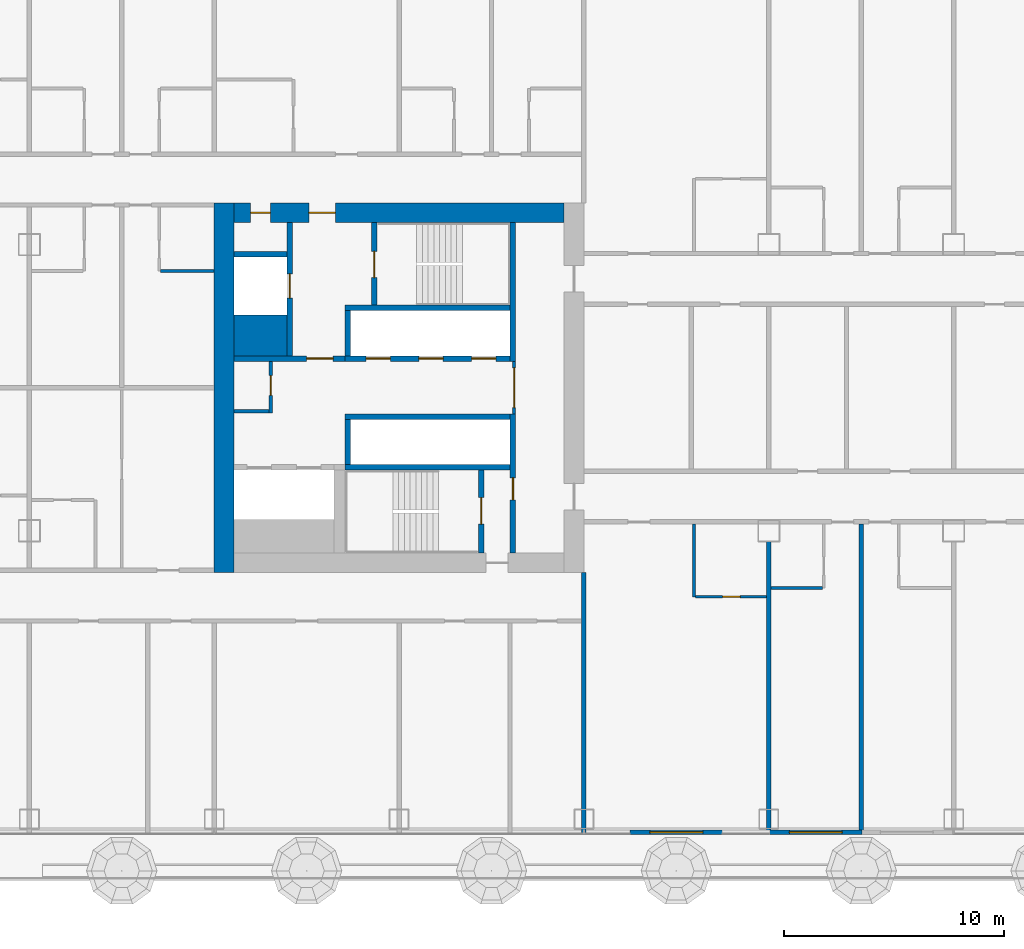
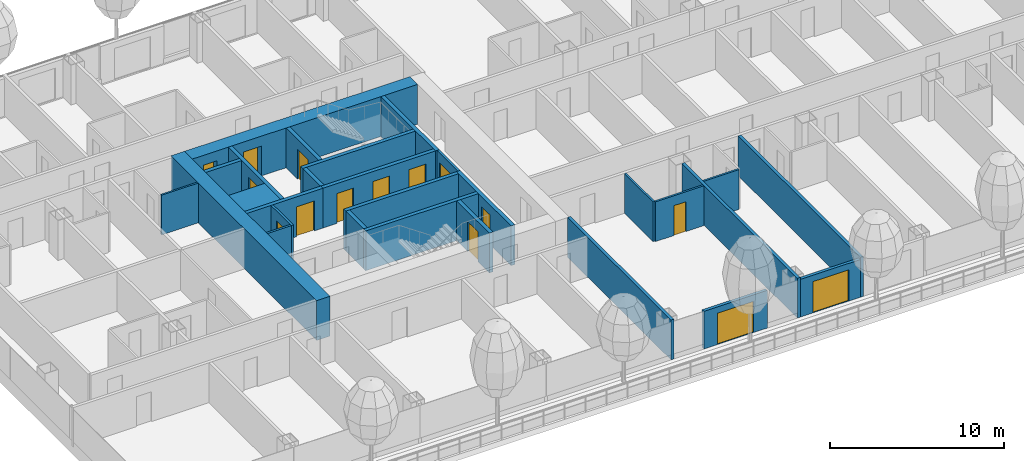
# One storey, part 13 of 36: 28 walls, 15 doors, 15 openings, 1 element without a shape of its own.
"""IFC4 building model written with IfcOpenShell, lengths in metres."""

from ifc_helpers import new_model, si_unit, direction, frame, frame_2d, origin, place, context, subcontext, project, spatial, rectangle, extrude, material, layer, layer_set, type_object, element, fill, aggregate, save


model = new_model("IFC4")

# Units and contexts
model_context = context("Model", 3, precision=1e-05, world=origin(), true_north=direction((0.0, 1.0)))
body_context = subcontext(model_context, "Body", "Model", "MODEL_VIEW")
ifc_project = project(units=[si_unit("LENGTHUNIT", "METRE"), si_unit("AREAUNIT", "SQUARE_METRE"), si_unit("VOLUMEUNIT", "CUBIC_METRE"), si_unit("PLANEANGLEUNIT", "RADIAN"), si_unit("MASSUNIT", "GRAM", prefix="KILO")], contexts=[model_context])

# Site, building, storey
site_placement = place(None, origin())
site = spatial("IfcSite", under=ifc_project, at=site_placement, CompositionType="ELEMENT")
building_placement = place(site_placement, origin())
building = spatial("IfcBuilding", under=site, at=building_placement, Name="Hakoniwa Tower and Hamabe Station Hall", CompositionType="ELEMENT")
storey_placement = place(building_placement, frame((0.0, 0.0, 26.199951171875)))
storey = spatial("IfcBuildingStorey", under=building, at=storey_placement, Name="L06", CompositionType="ELEMENT", Elevation=26.199951171875)

# Wall, opening, door
ifc_material_1 = material(Name="Gypsum board partition", Category="gypsum")
ifc_layer_1 = layer(ifc_material_1, 0.125)
ifc_layer_set_1 = layer_set([ifc_layer_1], Name="Bathroom Partition 125")
wall_type_1 = type_object("IfcWallType", Name="Bathroom Partition 125", PredefinedType="PARTITIONING", material=ifc_layer_set_1)
wall_1_placement = place(storey_placement, frame((-11.737548828125, -9.5, 0.0), z_axis=(0.0, 0.0, 1.0), x_axis=(1.0, 0.0, 0.0)))
wall_1 = element("IfcWall", 1, at=wall_1_placement, inside=storey, type_object=wall_type_1, Name="GW-L06-009", PredefinedType="PARTITIONING", context=body_context, shape_type="SweptSolid", body=[
    extrude(rectangle(XDim=3.237548828125, YDim=0.125, at=frame_2d((1.61865234375, 0.0))), origin(), (0.0, 0.0, 1.0), 2.800048828125),
])
opening_1_placement = place(wall_1_placement, frame((1.237548828125, 0.0, 0.0)))
opening_1 = element("IfcOpeningElement", 2, at=opening_1_placement, cuts=wall_1, Name="Opening GD-G1C0-14", PredefinedType="OPENING", context=body_context, shape_type="SweptSolid", body=[
    extrude(rectangle(XDim=0.800048828125, YDim=2.10009765625, at=frame_2d((0.39990234375, 1.050048828125))), frame((0.0, 0.072509765625, 0.0), z_axis=(0.0, -1.0, 0.0), x_axis=(1.0, 0.0, 0.0)), (0.0, 0.0, 1.0), 0.14501953125),
])
ifc_material_2 = material(Name="Timber door leaf", Category="wood")
door_type_1 = type_object("IfcDoorType", Name="Bathroom Door 800", OperationType="SINGLE_SWING_LEFT", PredefinedType="DOOR", material=ifc_material_2)
door_1_placement = place(opening_1_placement, origin())
door_1 = element("IfcDoor", 3, at=door_1_placement, inside=storey, type_object=door_type_1, Name="Door GD-G1C0-14", OperationType="SINGLE_SWING_RIGHT", OverallHeight=2.10009765625, OverallWidth=0.800048828125, PredefinedType="DOOR", context=body_context, shape_type="SweptSolid", body=[
    extrude(rectangle(XDim=0.800048828125, YDim=2.10009765625, at=frame_2d((0.39990234375, 1.050048828125))), frame((0.0, 0.02490234375, 0.0), z_axis=(0.0, -1.0, 0.0), x_axis=(1.0, 0.0, 0.0)), (0.0, 0.0, 1.0), 0.050048828125),
])
fill(opening_1, door_1)

# Walls
wall_2_placement = place(storey_placement, frame((-8.300048828125, -9.10009765625, 0.0), z_axis=(0.0, 0.0, 1.0), x_axis=(1.0, 0.0, 0.0)))
element("IfcWall", 4, at=wall_2_placement, inside=storey, type_object=wall_type_1, Name="GW-L06-010", PredefinedType="PARTITIONING", context=body_context, shape_type="SweptSolid", body=[
    extrude(rectangle(XDim=2.337646484375, YDim=0.125, at=frame_2d((1.1689453125, 0.0))), origin(), (0.0, 0.0, 1.0), 2.800048828125),
])
wall_3_placement = place(storey_placement, frame((-36.03759765625, 5.300048828125, 0.0), z_axis=(0.0, 0.0, 1.0), x_axis=(1.0, 0.0, 0.0)))
element("IfcWall", 5, at=wall_3_placement, inside=storey, type_object=wall_type_1, Name="GW-L06-030", PredefinedType="PARTITIONING", context=body_context, shape_type="SweptSolid", body=[
    extrude(rectangle(XDim=2.4375, YDim=0.125, at=frame_2d((1.21875, 0.0))), origin(), (0.0, 0.0, 1.0), 2.800048828125),
])
wall_4_placement = place(storey_placement, frame((-11.800048828125, -9.5, 0.0), z_axis=(0.0, 0.0, 1.0), x_axis=(0.0, 1.0, 0.0)))
element("IfcWall", 6, at=wall_4_placement, inside=storey, type_object=wall_type_1, Name="GW-L06-081", PredefinedType="PARTITIONING", context=body_context, shape_type="SweptSolid", body=[
    extrude(rectangle(XDim=3.300048828125, YDim=0.125, at=frame_2d((1.64990234375, 0.0))), origin(), (0.0, 0.0, 1.0), 2.800048828125),
])

# Wall, opening, door
ifc_material_3 = material(Name="Gypsum board partition")
ifc_layer_2 = layer(ifc_material_3, 0.14990234375)
ifc_layer_set_2 = layer_set([ifc_layer_2], Name="CORE PARTITION 150 EI 60")
wall_type_2 = type_object("IfcWallType", Name="CORE PARTITION 150 EI 60", PredefinedType="PARTITIONING", material=ifc_layer_set_2)
wall_5_placement = place(storey_placement, frame((-19.97509765625, -1.199951171875, 0.0), z_axis=(0.0, 0.0, 1.0), x_axis=(0.0, 1.0, 0.0)))
wall_5 = element("IfcWall", 7, at=wall_5_placement, inside=storey, type_object=wall_type_2, Name="Core partition PL0 west", PredefinedType="PARTITIONING", context=body_context, shape_type="SweptSolid", body=[
    extrude(rectangle(XDim=2.39990234375, YDim=0.14990234375, at=frame_2d((1.199951171875, 0.0))), origin(), (0.0, 0.0, 1.0), 2.800048828125),
])
opening_2_placement = place(wall_5_placement, frame((0.300048828125, 0.0, 0.0)))
opening_2 = element("IfcOpeningElement", 8, at=opening_2_placement, cuts=wall_5, Name="Opening CD-W-LP0-18", PredefinedType="OPENING", context=body_context, shape_type="SweptSolid", body=[
    extrude(rectangle(XDim=1.800048828125, YDim=2.10009765625, at=frame_2d((0.89990234375, 1.050048828125))), frame((0.0, 0.0849609375, 0.0), z_axis=(0.0, -1.0, 0.0), x_axis=(1.0, 0.0, 0.0)), (0.0, 0.0, 1.0), 0.169921875),
])
ifc_material_4 = material(Name="Steel fire door", Category="steel")
door_type_2 = type_object("IfcDoorType", Name="CORE DOOR 1800 FD60", OperationType="DOUBLE_DOOR_SINGLE_SWING", PredefinedType="DOOR", material=ifc_material_4)
door_2_placement = place(opening_2_placement, origin())
door_2 = element("IfcDoor", 9, at=door_2_placement, inside=storey, type_object=door_type_2, Name="Lift lobby partition door", OperationType="DOUBLE_DOOR_SINGLE_SWING", OverallHeight=2.10009765625, OverallWidth=1.800048828125, PredefinedType="DOOR", context=body_context, shape_type="SweptSolid", body=[
    extrude(rectangle(XDim=1.800048828125, YDim=2.10009765625, at=frame_2d((0.89990234375, 1.050048828125))), frame((0.0, 0.02490234375, 0.0), z_axis=(0.0, -1.0, 0.0), x_axis=(1.0, 0.0, 0.0)), (0.0, 0.0, 1.0), 0.050048828125),
])
fill(opening_2, door_2)

wall_6_placement = place(storey_placement, frame((-31.02490234375, -1.14990234375, 0.0), z_axis=(0.0, 0.0, 1.0), x_axis=(0.0, 1.0, 0.0)))
wall_6 = element("IfcWall", 10, at=wall_6_placement, inside=storey, type_object=wall_type_2, Name="Core partition PW0 west", PredefinedType="PARTITIONING", context=body_context, shape_type="SweptSolid", body=[
    extrude(rectangle(XDim=2.349853515625, YDim=0.14990234375, at=frame_2d((1.1748046875, 0.0))), origin(), (0.0, 0.0, 1.0), 2.800048828125),
])
opening_3_placement = place(wall_6_placement, frame((0.800048828125, 0.0, 0.0)))
opening_3 = element("IfcOpeningElement", 11, at=opening_3_placement, cuts=wall_6, Name="Opening CD-W-RM1-9", PredefinedType="OPENING", context=body_context, shape_type="SweptSolid", body=[
    extrude(rectangle(XDim=0.89990234375, YDim=2.10009765625, at=frame_2d((0.449951171875, 1.050048828125))), frame((0.0, 0.0849609375, 0.0), z_axis=(0.0, -1.0, 0.0), x_axis=(1.0, 0.0, 0.0)), (0.0, 0.0, 1.0), 0.169921875),
])
ifc_material_5 = material(Name="Steel fire door", Category="steel")
door_type_3 = type_object("IfcDoorType", Name="CORE DOOR 900 FD30", OperationType="NOTDEFINED", PredefinedType="DOOR", material=ifc_material_5)
door_3_placement = place(opening_3_placement, origin())
door_3 = element("IfcDoor", 12, at=door_3_placement, inside=storey, type_object=door_type_3, Name="Store room door", OperationType="SINGLE_SWING_LEFT", OverallHeight=2.10009765625, OverallWidth=0.89990234375, PredefinedType="DOOR", context=body_context, shape_type="SweptSolid", body=[
    extrude(rectangle(XDim=0.89990234375, YDim=2.10009765625, at=frame_2d((0.449951171875, 1.050048828125))), frame((0.0, 0.02490234375, 0.0), z_axis=(0.0, -1.0, 0.0), x_axis=(1.0, 0.0, 0.0)), (0.0, 0.0, 1.0), 0.050048828125),
])
fill(opening_3, door_3)

# Walls
wall_7_placement = place(storey_placement, frame((-32.699951171875, -1.074951171875, 0.0), z_axis=(0.0, 0.0, 1.0), x_axis=(1.0, 0.0, 0.0)))
element("IfcWall", 13, at=wall_7_placement, inside=storey, type_object=wall_type_2, Name="Core partition PS west", PredefinedType="PARTITIONING", context=body_context, shape_type="SweptSolid", body=[
    extrude(rectangle(XDim=1.599853515625, YDim=0.14990234375, at=frame_2d((0.7998046875, 0.0))), origin(), (0.0, 0.0, 1.0), 2.800048828125),
])
ifc_material_6 = material(Name="Concrete C80", Category="concrete")
ifc_layer_3 = layer(ifc_material_6, 0.89990234375)
ifc_layer_set_3 = layer_set([ifc_layer_3], Name="CORE WALL 900 C80")
wall_type_3 = type_object("IfcWallType", Name="CORE WALL 900 C80", PredefinedType="SHEAR", material=ifc_layer_set_3)
wall_8_placement = place(storey_placement, frame((-33.14990234375, -8.39990234375, 0.0), z_axis=(0.0, 0.0, 1.0), x_axis=(0.0, 1.0, 0.0)))
element("IfcWall", 14, at=wall_8_placement, inside=storey, type_object=wall_type_3, Name="Core wall OUTER west", PredefinedType="SHEAR", context=body_context, shape_type="SweptSolid", body=[
    extrude(rectangle(XDim=16.7998046875, YDim=0.89990234375, at=frame_2d((8.39990234375, 0.0))), origin(), (0.0, 0.0, 1.0), 2.800048828125),
])

# Wall, openings, doors
wall_9_placement = place(storey_placement, frame((-32.699951171875, 7.949951171875, 0.0), z_axis=(0.0, 0.0, 1.0), x_axis=(1.0, 0.0, 0.0)))
wall_9 = element("IfcWall", 15, at=wall_9_placement, inside=storey, type_object=wall_type_3, Name="Core wall NORTH west", PredefinedType="SHEAR", context=body_context, shape_type="SweptSolid", body=[
    extrude(rectangle(XDim=15.0, YDim=0.89990234375, at=frame_2d((7.5, 0.0))), origin(), (0.0, 0.0, 1.0), 2.800048828125),
])
opening_4_placement = place(wall_9_placement, frame((3.39990234375, 0.0, 0.0)))
opening_4 = element("IfcOpeningElement", 16, at=opening_4_placement, cuts=wall_9, Name="Opening CD-W-FN1-12", PredefinedType="OPENING", context=body_context, shape_type="SweptSolid", body=[
    extrude(rectangle(XDim=1.199951171875, YDim=2.10009765625, at=frame_2d((0.60009765625, 1.050048828125))), frame((0.0, 0.4599609375, 0.0), z_axis=(0.0, -1.0, 0.0), x_axis=(1.0, 0.0, 0.0)), (0.0, 0.0, 1.0), 0.919921875),
])
opening_5_placement = place(wall_9_placement, frame((0.75, 0.0, 0.0)))
opening_5 = element("IfcOpeningElement", 17, at=opening_5_placement, cuts=wall_9, Name="Opening CD-W-FN2-9", PredefinedType="OPENING", context=body_context, shape_type="SweptSolid", body=[
    extrude(rectangle(XDim=0.89990234375, YDim=2.10009765625, at=frame_2d((0.449951171875, 1.050048828125))), frame((0.0, 0.4599609375, 0.0), z_axis=(0.0, -1.0, 0.0), x_axis=(1.0, 0.0, 0.0)), (0.0, 0.0, 1.0), 0.919921875),
])
ifc_material_7 = material(Name="Steel fire door", Category="steel")
door_type_4 = type_object("IfcDoorType", Name="CORE DOOR 1200 FD60", OperationType="DOUBLE_DOOR_SINGLE_SWING", PredefinedType="DOOR", material=ifc_material_7)
door_4_placement = place(opening_4_placement, origin())
door_4 = element("IfcDoor", 18, at=door_4_placement, inside=storey, type_object=door_type_4, Name="Stair vestibule door to the fire-fighting lobby", OperationType="DOUBLE_DOOR_SINGLE_SWING", OverallHeight=2.10009765625, OverallWidth=1.199951171875, PredefinedType="DOOR", context=body_context, shape_type="SweptSolid", body=[
    extrude(rectangle(XDim=1.199951171875, YDim=2.10009765625, at=frame_2d((0.60009765625, 1.050048828125))), frame((0.0, 0.02490234375, 0.0), z_axis=(0.0, -1.0, 0.0), x_axis=(1.0, 0.0, 0.0)), (0.0, 0.0, 1.0), 0.050048828125),
])
fill(opening_4, door_4)
door_5_placement = place(opening_5_placement, origin())
door_5 = element("IfcDoor", 19, at=door_5_placement, inside=storey, type_object=door_type_3, Name="Riser access door", OperationType="SINGLE_SWING_LEFT", OverallHeight=2.10009765625, OverallWidth=0.89990234375, PredefinedType="DOOR", context=body_context, shape_type="SweptSolid", body=[
    extrude(rectangle(XDim=0.89990234375, YDim=2.10009765625, at=frame_2d((0.449951171875, 1.050048828125))), frame((0.0, 0.02490234375, 0.0), z_axis=(0.0, -1.0, 0.0), x_axis=(1.0, 0.0, 0.0)), (0.0, 0.0, 1.0), 0.050048828125),
])
fill(opening_5, door_5)

# Walls
ifc_material_8 = material(Name="Concrete C80", Category="concrete")
ifc_layer_4 = layer(ifc_material_8, 1.85009765625)
ifc_layer_set_4 = layer_set([ifc_layer_4], Name="CORE WEB WALL 1850 C80")
wall_type_4 = type_object("IfcWallType", Name="CORE WEB WALL 1850 C80", PredefinedType="SHEAR", material=ifc_layer_set_4)
wall_10_placement = place(storey_placement, frame((-32.699951171875, 2.375, 0.0), z_axis=(0.0, 0.0, 1.0), x_axis=(1.0, 0.0, 0.0)))
element("IfcWall", 20, at=wall_10_placement, inside=storey, type_object=wall_type_4, Name="Core wall CA west", PredefinedType="SHEAR", context=body_context, shape_type="SweptSolid", body=[
    extrude(rectangle(XDim=2.39990234375, YDim=1.85009765625, at=frame_2d((1.199951171875, 0.0))), origin(), (0.0, 0.0, 1.0), 2.800048828125),
])
ifc_material_9 = material(Name="Concrete C80", Category="concrete")
ifc_layer_5 = layer(ifc_material_9, 0.25)
ifc_layer_set_5 = layer_set([ifc_layer_5], Name="CORE WEB WALL 250 C80")
wall_type_5 = type_object("IfcWallType", Name="CORE WEB WALL 250 C80", PredefinedType="SHEAR", material=ifc_layer_set_5)
wall_11_placement = place(storey_placement, frame((-20.02490234375, 1.199951171875, 0.0), z_axis=(0.0, 0.0, 1.0), x_axis=(0.0, 1.0, 0.0)))
element("IfcWall", 21, at=wall_11_placement, inside=storey, type_object=wall_type_5, Name="Core wall W1N west", PredefinedType="SHEAR", context=body_context, shape_type="SweptSolid", body=[
    extrude(rectangle(XDim=6.300048828125, YDim=0.25, at=frame_2d((3.14990234375, 0.0))), origin(), (0.0, 0.0, 1.0), 2.800048828125),
])

# Wall, opening, door
wall_12_placement = place(storey_placement, frame((-20.02490234375, -7.5, 0.0), z_axis=(0.0, 0.0, 1.0), x_axis=(0.0, 1.0, 0.0)))
wall_12 = element("IfcWall", 22, at=wall_12_placement, inside=storey, type_object=wall_type_5, Name="Core wall W1S west", PredefinedType="SHEAR", context=body_context, shape_type="SweptSolid", body=[
    extrude(rectangle(XDim=6.300048828125, YDim=0.25, at=frame_2d((3.14990234375, 0.0))), origin(), (0.0, 0.0, 1.0), 2.800048828125),
])
opening_6_placement = place(wall_12_placement, frame((2.39990234375, 0.0, 0.0)))
opening_6 = element("IfcOpeningElement", 23, at=opening_6_placement, cuts=wall_12, Name="Opening CD-W-VS-10", PredefinedType="OPENING", context=body_context, shape_type="SweptSolid", body=[
    extrude(rectangle(XDim=1.0, YDim=2.10009765625, at=frame_2d((0.5, 1.050048828125))), frame((0.0, 0.135009765625, 0.0), z_axis=(0.0, -1.0, 0.0), x_axis=(1.0, 0.0, 0.0)), (0.0, 0.0, 1.0), 0.27001953125),
])
ifc_material_10 = material(Name="Steel fire door", Category="steel")
door_type_5 = type_object("IfcDoorType", Name="CORE DOOR 1000 FD60", OperationType="NOTDEFINED", PredefinedType="DOOR", material=ifc_material_10)
door_6_placement = place(opening_6_placement, origin())
door_6 = element("IfcDoor", 24, at=door_6_placement, inside=storey, type_object=door_type_5, Name="Stair vestibule door", OperationType="SINGLE_SWING_LEFT", OverallHeight=2.10009765625, OverallWidth=1.0, PredefinedType="DOOR", context=body_context, shape_type="SweptSolid", body=[
    extrude(rectangle(XDim=1.0, YDim=2.10009765625, at=frame_2d((0.5, 1.050048828125))), frame((0.0, 0.02490234375, 0.0), z_axis=(0.0, -1.0, 0.0), x_axis=(1.0, 0.0, 0.0)), (0.0, 0.0, 1.0), 0.050048828125),
])
fill(opening_6, door_6)

# Wall, openings, doors
wall_13_placement = place(storey_placement, frame((-27.64990234375, 1.324951171875, 0.0), z_axis=(0.0, 0.0, 1.0), x_axis=(1.0, 0.0, 0.0)))
wall_13 = element("IfcWall", 25, at=wall_13_placement, inside=storey, type_object=wall_type_5, Name="Core wall NF west", PredefinedType="SHEAR", context=body_context, shape_type="SweptSolid", body=[
    extrude(rectangle(XDim=7.5, YDim=0.25, at=frame_2d((3.75, 0.0))), origin(), (0.0, 0.0, 1.0), 2.800048828125),
])
opening_7_placement = place(wall_13_placement, frame((5.75, 0.0, 0.0)))
opening_7 = element("IfcOpeningElement", 26, at=opening_7_placement, cuts=wall_13, Name="Opening LD-LR1", PredefinedType="OPENING", context=body_context, shape_type="SweptSolid", body=[
    extrude(rectangle(XDim=1.10009765625, YDim=2.10009765625, at=frame_2d((0.550048828125, 1.050048828125))), frame((0.0, 0.135009765625, 0.0), z_axis=(0.0, -1.0, 0.0), x_axis=(1.0, 0.0, 0.0)), (0.0, 0.0, 1.0), 0.27001953125),
])
opening_8_placement = place(wall_13_placement, frame((3.35009765625, 0.0, 0.0)))
opening_8 = element("IfcOpeningElement", 27, at=opening_8_placement, cuts=wall_13, Name="Opening LD-LR2", PredefinedType="OPENING", context=body_context, shape_type="SweptSolid", body=[
    extrude(rectangle(XDim=1.10009765625, YDim=2.10009765625, at=frame_2d((0.550048828125, 1.050048828125))), frame((0.0, 0.135009765625, 0.0), z_axis=(0.0, -1.0, 0.0), x_axis=(1.0, 0.0, 0.0)), (0.0, 0.0, 1.0), 0.27001953125),
])
opening_9_placement = place(wall_13_placement, frame((0.949951171875, 0.0, 0.0)))
opening_9 = element("IfcOpeningElement", 28, at=opening_9_placement, cuts=wall_13, Name="Opening LD-LR3", PredefinedType="OPENING", context=body_context, shape_type="SweptSolid", body=[
    extrude(rectangle(XDim=1.10009765625, YDim=2.10009765625, at=frame_2d((0.550048828125, 1.050048828125))), frame((0.0, 0.135009765625, 0.0), z_axis=(0.0, -1.0, 0.0), x_axis=(1.0, 0.0, 0.0)), (0.0, 0.0, 1.0), 0.27001953125),
])
ifc_material_11 = material(Name="Stainless steel SUS304", Category="steel")
door_type_6 = type_object("IfcDoorType", Name="LIFT LANDING DOOR 1100 FD60", OperationType="DOUBLE_DOOR_SLIDING", PredefinedType="DOOR", material=ifc_material_11)
door_7_placement = place(opening_7_placement, origin())
door_7 = element("IfcDoor", 29, at=door_7_placement, inside=storey, type_object=door_type_6, Name="Lift landing door LR1 L06", OperationType="DOUBLE_DOOR_SLIDING", OverallHeight=2.10009765625, OverallWidth=1.10009765625, PredefinedType="DOOR", context=body_context, shape_type="SweptSolid", body=[
    extrude(rectangle(XDim=1.10009765625, YDim=2.10009765625, at=frame_2d((0.550048828125, 1.050048828125))), frame((0.0, 0.02490234375, 0.0), z_axis=(0.0, -1.0, 0.0), x_axis=(1.0, 0.0, 0.0)), (0.0, 0.0, 1.0), 0.050048828125),
])
fill(opening_7, door_7)
door_8_placement = place(opening_8_placement, origin())
door_8 = element("IfcDoor", 30, at=door_8_placement, inside=storey, type_object=door_type_6, Name="Lift landing door LR2 L06", OperationType="DOUBLE_DOOR_SLIDING", OverallHeight=2.10009765625, OverallWidth=1.10009765625, PredefinedType="DOOR", context=body_context, shape_type="SweptSolid", body=[
    extrude(rectangle(XDim=1.10009765625, YDim=2.10009765625, at=frame_2d((0.550048828125, 1.050048828125))), frame((0.0, 0.02490234375, 0.0), z_axis=(0.0, -1.0, 0.0), x_axis=(1.0, 0.0, 0.0)), (0.0, 0.0, 1.0), 0.050048828125),
])
fill(opening_8, door_8)
door_9_placement = place(opening_9_placement, origin())
door_9 = element("IfcDoor", 31, at=door_9_placement, inside=storey, type_object=door_type_6, Name="Lift landing door LR3 L06", OperationType="DOUBLE_DOOR_SLIDING", OverallHeight=2.10009765625, OverallWidth=1.10009765625, PredefinedType="DOOR", context=body_context, shape_type="SweptSolid", body=[
    extrude(rectangle(XDim=1.10009765625, YDim=2.10009765625, at=frame_2d((0.550048828125, 1.050048828125))), frame((0.0, 0.02490234375, 0.0), z_axis=(0.0, -1.0, 0.0), x_axis=(1.0, 0.0, 0.0)), (0.0, 0.0, 1.0), 0.050048828125),
])
fill(opening_9, door_9)

# Walls
wall_14_placement = place(storey_placement, frame((-27.52490234375, 1.449951171875, 0.0), z_axis=(0.0, 0.0, 1.0), x_axis=(0.0, 1.0, 0.0)))
element("IfcWall", 32, at=wall_14_placement, inside=storey, type_object=wall_type_5, Name="Core wall NE west", PredefinedType="SHEAR", context=body_context, shape_type="SweptSolid", body=[
    extrude(rectangle(XDim=2.050048828125, YDim=0.25, at=frame_2d((1.02490234375, 0.0))), origin(), (0.0, 0.0, 1.0), 2.800048828125),
])
wall_15_placement = place(storey_placement, frame((-27.64990234375, 3.625, 0.0), z_axis=(0.0, 0.0, 1.0), x_axis=(1.0, 0.0, 0.0)))
element("IfcWall", 33, at=wall_15_placement, inside=storey, type_object=wall_type_5, Name="Core wall NR west", PredefinedType="SHEAR", context=body_context, shape_type="SweptSolid", body=[
    extrude(rectangle(XDim=7.5, YDim=0.25, at=frame_2d((3.75, 0.0))), origin(), (0.0, 0.0, 1.0), 2.800048828125),
])

# Wall, opening, door
wall_16_placement = place(storey_placement, frame((-26.324951171875, 3.75, 0.0), z_axis=(0.0, 0.0, 1.0), x_axis=(0.0, 1.0, 0.0)))
wall_16 = element("IfcWall", 34, at=wall_16_placement, inside=storey, type_object=wall_type_5, Name="Core wall NSE west", PredefinedType="SHEAR", context=body_context, shape_type="SweptSolid", body=[
    extrude(rectangle(XDim=3.75, YDim=0.25, at=frame_2d((1.875, 0.0))), origin(), (0.0, 0.0, 1.0), 2.800048828125),
])
opening_10_placement = place(wall_16_placement, frame((1.25, 0.0, 0.0)))
opening_10 = element("IfcOpeningElement", 35, at=opening_10_placement, cuts=wall_16, Name="Opening CD-W-SN-12", PredefinedType="OPENING", context=body_context, shape_type="SweptSolid", body=[
    extrude(rectangle(XDim=1.199951171875, YDim=2.10009765625, at=frame_2d((0.60009765625, 1.050048828125))), frame((0.0, 0.135009765625, 0.0), z_axis=(0.0, -1.0, 0.0), x_axis=(1.0, 0.0, 0.0)), (0.0, 0.0, 1.0), 0.27001953125),
])
door_10_placement = place(opening_10_placement, origin())
door_10 = element("IfcDoor", 36, at=door_10_placement, inside=storey, type_object=door_type_4, Name="Escape stair door", OperationType="DOUBLE_DOOR_SINGLE_SWING", OverallHeight=2.10009765625, OverallWidth=1.199951171875, PredefinedType="DOOR", context=body_context, shape_type="SweptSolid", body=[
    extrude(rectangle(XDim=1.199951171875, YDim=2.10009765625, at=frame_2d((0.60009765625, 1.050048828125))), frame((0.0, 0.02490234375, 0.0), z_axis=(0.0, -1.0, 0.0), x_axis=(1.0, 0.0, 0.0)), (0.0, 0.0, 1.0), 0.050048828125),
])
fill(opening_10, door_10)

wall_17_placement = place(storey_placement, frame((-32.699951171875, 1.324951171875, 0.0), z_axis=(0.0, 0.0, 1.0), x_axis=(1.0, 0.0, 0.0)))
wall_17 = element("IfcWall", 37, at=wall_17_placement, inside=storey, type_object=wall_type_5, Name="Core wall ELN west", PredefinedType="SHEAR", context=body_context, shape_type="SweptSolid", body=[
    extrude(rectangle(XDim=5.050048828125, YDim=0.25, at=frame_2d((2.52490234375, 0.0))), origin(), (0.0, 0.0, 1.0), 2.800048828125),
])
opening_11_placement = place(wall_17_placement, frame((3.300048828125, 0.0, 0.0)))
opening_11 = element("IfcOpeningElement", 38, at=opening_11_placement, cuts=wall_17, Name="Opening CD-W-FL-12", PredefinedType="OPENING", context=body_context, shape_type="SweptSolid", body=[
    extrude(rectangle(XDim=1.199951171875, YDim=2.10009765625, at=frame_2d((0.60009765625, 1.050048828125))), frame((0.0, 0.135009765625, 0.0), z_axis=(0.0, -1.0, 0.0), x_axis=(1.0, 0.0, 0.0)), (0.0, 0.0, 1.0), 0.27001953125),
])
door_11_placement = place(opening_11_placement, origin())
door_11 = element("IfcDoor", 39, at=door_11_placement, inside=storey, type_object=door_type_4, Name="Stair vestibule door to the fire-fighting lobby", OperationType="DOUBLE_DOOR_SINGLE_SWING", OverallHeight=2.10009765625, OverallWidth=1.199951171875, PredefinedType="DOOR", context=body_context, shape_type="SweptSolid", body=[
    extrude(rectangle(XDim=1.199951171875, YDim=2.10009765625, at=frame_2d((0.60009765625, 1.050048828125))), frame((0.0, 0.02490234375, 0.0), z_axis=(0.0, -1.0, 0.0), x_axis=(1.0, 0.0, 0.0)), (0.0, 0.0, 1.0), 0.050048828125),
])
fill(opening_11, door_11)

wall_18_placement = place(storey_placement, frame((-30.175048828125, 1.449951171875, 0.0), z_axis=(0.0, 0.0, 1.0), x_axis=(0.0, 1.0, 0.0)))
wall_18 = element("IfcWall", 40, at=wall_18_placement, inside=storey, type_object=wall_type_5, Name="Core wall FFF west", PredefinedType="SHEAR", context=body_context, shape_type="SweptSolid", body=[
    extrude(rectangle(XDim=6.050048828125, YDim=0.25, at=frame_2d((3.02490234375, 0.0))), origin(), (0.0, 0.0, 1.0), 2.800048828125),
])
opening_12_placement = place(wall_18_placement, frame((2.625, 0.0, 0.0)))
opening_12 = element("IfcOpeningElement", 41, at=opening_12_placement, cuts=wall_18, Name="Opening LD-FF1", PredefinedType="OPENING", context=body_context, shape_type="SweptSolid", body=[
    extrude(rectangle(XDim=1.10009765625, YDim=2.10009765625, at=frame_2d((0.550048828125, 1.050048828125))), frame((0.0, 0.135009765625, 0.0), z_axis=(0.0, -1.0, 0.0), x_axis=(1.0, 0.0, 0.0)), (0.0, 0.0, 1.0), 0.27001953125),
])
door_12_placement = place(opening_12_placement, origin())
door_12 = element("IfcDoor", 42, at=door_12_placement, inside=storey, type_object=door_type_6, Name="Lift landing door FF1 L06", OperationType="DOUBLE_DOOR_SLIDING", OverallHeight=2.10009765625, OverallWidth=1.10009765625, PredefinedType="DOOR", context=body_context, shape_type="SweptSolid", body=[
    extrude(rectangle(XDim=1.10009765625, YDim=2.10009765625, at=frame_2d((0.550048828125, 1.050048828125))), frame((0.0, 0.02490234375, 0.0), z_axis=(0.0, -1.0, 0.0), x_axis=(1.0, 0.0, 0.0)), (0.0, 0.0, 1.0), 0.050048828125),
])
fill(opening_12, door_12)

# Walls
wall_19_placement = place(storey_placement, frame((-32.699951171875, 6.074951171875, 0.0), z_axis=(0.0, 0.0, 1.0), x_axis=(1.0, 0.0, 0.0)))
element("IfcWall", 43, at=wall_19_placement, inside=storey, type_object=wall_type_5, Name="Core wall C2 west", PredefinedType="SHEAR", context=body_context, shape_type="SweptSolid", body=[
    extrude(rectangle(XDim=2.39990234375, YDim=0.25, at=frame_2d((1.199951171875, 0.0))), origin(), (0.0, 0.0, 1.0), 2.800048828125),
])
wall_20_placement = place(storey_placement, frame((-27.64990234375, -1.324951171875, 0.0), z_axis=(0.0, 0.0, 1.0), x_axis=(1.0, 0.0, 0.0)))
element("IfcWall", 44, at=wall_20_placement, inside=storey, type_object=wall_type_5, Name="Core wall SF west", PredefinedType="SHEAR", context=body_context, shape_type="SweptSolid", body=[
    extrude(rectangle(XDim=7.5, YDim=0.25, at=frame_2d((3.75, 0.0))), origin(), (0.0, 0.0, 1.0), 2.800048828125),
])
wall_21_placement = place(storey_placement, frame((-27.52490234375, -3.5, 0.0), z_axis=(0.0, 0.0, 1.0), x_axis=(0.0, 1.0, 0.0)))
element("IfcWall", 45, at=wall_21_placement, inside=storey, type_object=wall_type_5, Name="Core wall SE west", PredefinedType="SHEAR", context=body_context, shape_type="SweptSolid", body=[
    extrude(rectangle(XDim=2.050048828125, YDim=0.25, at=frame_2d((1.02490234375, 0.0))), origin(), (0.0, 0.0, 1.0), 2.800048828125),
])
wall_22_placement = place(storey_placement, frame((-27.64990234375, -3.625, 0.0), z_axis=(0.0, 0.0, 1.0), x_axis=(1.0, 0.0, 0.0)))
element("IfcWall", 46, at=wall_22_placement, inside=storey, type_object=wall_type_5, Name="Core wall SR west", PredefinedType="SHEAR", context=body_context, shape_type="SweptSolid", body=[
    extrude(rectangle(XDim=7.5, YDim=0.25, at=frame_2d((3.75, 0.0))), origin(), (0.0, 0.0, 1.0), 2.800048828125),
])

# Wall, opening, door
wall_23_placement = place(storey_placement, frame((-21.47509765625, -7.5, 0.0), z_axis=(0.0, 0.0, 1.0), x_axis=(0.0, 1.0, 0.0)))
wall_23 = element("IfcWall", 47, at=wall_23_placement, inside=storey, type_object=wall_type_5, Name="Core wall VE west", PredefinedType="SHEAR", context=body_context, shape_type="SweptSolid", body=[
    extrude(rectangle(XDim=3.75, YDim=0.25, at=frame_2d((1.875, 0.0))), origin(), (0.0, 0.0, 1.0), 2.800048828125),
])
opening_13_placement = place(wall_23_placement, frame((1.300048828125, 0.0, 0.0)))
opening_13 = element("IfcOpeningElement", 48, at=opening_13_placement, cuts=wall_23, Name="Opening CD-W-SS-12", PredefinedType="OPENING", context=body_context, shape_type="SweptSolid", body=[
    extrude(rectangle(XDim=1.199951171875, YDim=2.10009765625, at=frame_2d((0.60009765625, 1.050048828125))), frame((0.0, 0.135009765625, 0.0), z_axis=(0.0, -1.0, 0.0), x_axis=(1.0, 0.0, 0.0)), (0.0, 0.0, 1.0), 0.27001953125),
])
door_13_placement = place(opening_13_placement, origin())
door_13 = element("IfcDoor", 49, at=door_13_placement, inside=storey, type_object=door_type_4, Name="Escape stair door", OperationType="DOUBLE_DOOR_SINGLE_SWING", OverallHeight=2.10009765625, OverallWidth=1.199951171875, PredefinedType="DOOR", context=body_context, shape_type="SweptSolid", body=[
    extrude(rectangle(XDim=1.199951171875, YDim=2.10009765625, at=frame_2d((0.60009765625, 1.050048828125))), frame((0.0, 0.02490234375, 0.0), z_axis=(0.0, -1.0, 0.0), x_axis=(1.0, 0.0, 0.0)), (0.0, 0.0, 1.0), 0.050048828125),
])
fill(opening_13, door_13)

# Curtain wall, walls, openings, doors
ifc_material_12 = material(Name="Dark low-e laminated glass", Category="glass")
ifc_layer_6 = layer(ifc_material_12, 0.199951171875)
ifc_layer_set_6 = layer_set([ifc_layer_6], Name="CW-1 UNITISED GUEST")
curtain_wall_type = type_object("IfcCurtainWallType", Name="CW-1 UNITISED GUEST", PredefinedType="NOTDEFINED", material=ifc_layer_set_6)
curtain_wall_placement = place(storey_placement, origin())
curtain_wall = element("IfcCurtainWall", 50, at=curtain_wall_placement, inside=storey, type_object=curtain_wall_type, Name="CW-1 curtain wall", PredefinedType="NOTDEFINED")
ifc_material_13 = material(Name="Dark glass-faced aluminium panel", Category="aluminium")
ifc_layer_7 = layer(ifc_material_13, 0.199951171875)
ifc_layer_set_7 = layer_set([ifc_layer_7], Name="DOOR BAY WALL")
wall_type_6 = type_object("IfcWallType", Name="DOOR BAY WALL", PredefinedType="NOTDEFINED", material=ifc_layer_set_7)
wall_24_placement = place(storey_placement, frame((-14.7099609375, -20.199951171875, 0.0), z_axis=(0.0, 0.0, 1.0), x_axis=(1.0, 0.0, 0.0)))
wall_24 = element("IfcWall", 51, at=wall_24_placement, type_object=wall_type_6, Name="Door bay wall", PredefinedType="NOTDEFINED", context=body_context, shape_type="SweptSolid", body=[
    extrude(rectangle(XDim=4.219970703125, YDim=0.199951171875, at=frame_2d((2.10986328125, 0.0))), origin(), (0.0, 0.0, 1.0), 2.650146484375),
])
opening_14_placement = place(wall_24_placement, frame((0.909912109375, 0.0, 0.0)))
opening_14 = element("IfcOpeningElement", 52, at=opening_14_placement, cuts=wall_24, Name="Opening BD-S07-6", PredefinedType="OPENING", context=body_context, shape_type="SweptSolid", body=[
    extrude(rectangle(XDim=2.39990234375, YDim=2.199951171875, at=frame_2d((1.199951171875, 1.10009765625))), frame((0.0, 0.10986328125, 0.0), z_axis=(0.0, -1.0, 0.0), x_axis=(1.0, 0.0, 0.0)), (0.0, 0.0, 1.0), 0.219970703125),
])
ifc_material_14 = material(Name="Dark low-e laminated glass", Category="glass")
door_type_7 = type_object("IfcDoorType", Name="BALCONY SLIDING DOOR 2400X2200", OperationType="SLIDING_TO_LEFT", PredefinedType="DOOR", material=ifc_material_14)
door_14_placement = place(opening_14_placement, frame((2.39990234375, 0.0, 0.0), z_axis=(0.0, 0.0, 1.0), x_axis=(-1.0, 0.0, 0.0)))
door_14 = element("IfcDoor", 53, at=door_14_placement, inside=storey, type_object=door_type_7, Name="Balcony sliding door", OperationType="SLIDING_TO_LEFT", OverallHeight=2.199951171875, OverallWidth=2.39990234375, PredefinedType="DOOR", context=body_context, shape_type="SweptSolid", body=[
    extrude(rectangle(XDim=2.39990234375, YDim=2.199951171875, at=frame_2d((1.199951171875, 1.10009765625))), frame((0.0, 0.02490234375, 0.0), z_axis=(0.0, -1.0, 0.0), x_axis=(1.0, 0.0, 0.0)), (0.0, 0.0, 1.0), 0.050048828125),
])
fill(opening_14, door_14)
wall_25_placement = place(storey_placement, frame((-8.3798828125, -20.199951171875, 0.0), z_axis=(0.0, 0.0, 1.0), x_axis=(1.0, 0.0, 0.0)))
wall_25 = element("IfcWall", 54, at=wall_25_placement, type_object=wall_type_6, Name="Door bay wall", PredefinedType="NOTDEFINED", context=body_context, shape_type="SweptSolid", body=[
    extrude(rectangle(XDim=4.219970703125, YDim=0.199951171875, at=frame_2d((2.10986328125, 0.0))), origin(), (0.0, 0.0, 1.0), 2.650146484375),
])
opening_15_placement = place(wall_25_placement, frame((0.909912109375, 0.0, 0.0)))
opening_15 = element("IfcOpeningElement", 55, at=opening_15_placement, cuts=wall_25, Name="Opening BD-S07-7", PredefinedType="OPENING", context=body_context, shape_type="SweptSolid", body=[
    extrude(rectangle(XDim=2.39990234375, YDim=2.199951171875, at=frame_2d((1.199951171875, 1.10009765625))), frame((0.0, 0.10986328125, 0.0), z_axis=(0.0, -1.0, 0.0), x_axis=(1.0, 0.0, 0.0)), (0.0, 0.0, 1.0), 0.219970703125),
])
door_15_placement = place(opening_15_placement, frame((2.39990234375, 0.0, 0.0), z_axis=(0.0, 0.0, 1.0), x_axis=(-1.0, 0.0, 0.0)))
door_15 = element("IfcDoor", 56, at=door_15_placement, inside=storey, type_object=door_type_7, Name="Balcony sliding door", OperationType="SLIDING_TO_LEFT", OverallHeight=2.199951171875, OverallWidth=2.39990234375, PredefinedType="DOOR", context=body_context, shape_type="SweptSolid", body=[
    extrude(rectangle(XDim=2.39990234375, YDim=2.199951171875, at=frame_2d((1.199951171875, 1.10009765625))), frame((0.0, 0.02490234375, 0.0), z_axis=(0.0, -1.0, 0.0), x_axis=(1.0, 0.0, 0.0)), (0.0, 0.0, 1.0), 0.050048828125),
])
fill(opening_15, door_15)
aggregate(curtain_wall, [wall_24, wall_25])

# Walls
ifc_material_15 = material(Name="Fire-rated gypsum board partition", Category="gypsum")
ifc_layer_8 = layer(ifc_material_15, 0.199951171875)
ifc_layer_set_8 = layer_set([ifc_layer_8], Name="Party Wall 200")
wall_type_7 = type_object("IfcWallType", Name="Party Wall 200", PredefinedType="PARTITIONING", material=ifc_layer_set_8)
wall_26_placement = place(storey_placement, frame((-16.800048828125, -20.300048828125, 0.0), z_axis=(0.0, 0.0, 1.0), x_axis=(0.0, 1.0, 0.0)))
element("IfcWall", 57, at=wall_26_placement, inside=storey, type_object=wall_type_7, Name="GW-L06-078", PredefinedType="PARTITIONING", context=body_context, shape_type="SweptSolid", body=[
    extrude(rectangle(XDim=11.91015625, YDim=0.199951171875, at=frame_2d((5.955078125, 0.0))), origin(), (0.0, 0.0, 1.0), 2.800048828125),
])
wall_27_placement = place(storey_placement, frame((-8.39990234375, -20.300048828125, 0.0), z_axis=(0.0, 0.0, 1.0), x_axis=(0.0, 1.0, 0.0)))
element("IfcWall", 58, at=wall_27_placement, inside=storey, type_object=wall_type_7, Name="GW-L06-083", PredefinedType="PARTITIONING", context=body_context, shape_type="SweptSolid", body=[
    extrude(rectangle(XDim=13.31005859375, YDim=0.199951171875, at=frame_2d((6.655029296875, 0.0))), origin(), (0.0, 0.0, 1.0), 2.800048828125),
])
wall_28_placement = place(storey_placement, frame((-4.199951171875, -20.300048828125, 0.0), z_axis=(0.0, 0.0, 1.0), x_axis=(0.0, 1.0, 0.0)))
element("IfcWall", 59, at=wall_28_placement, inside=storey, type_object=wall_type_7, Name="GW-L06-089", PredefinedType="PARTITIONING", context=body_context, shape_type="SweptSolid", body=[
    extrude(rectangle(XDim=14.10009765625, YDim=0.199951171875, at=frame_2d((7.050048828125, 0.0))), origin(), (0.0, 0.0, 1.0), 2.800048828125),
])

save(model, "model.ifc")
